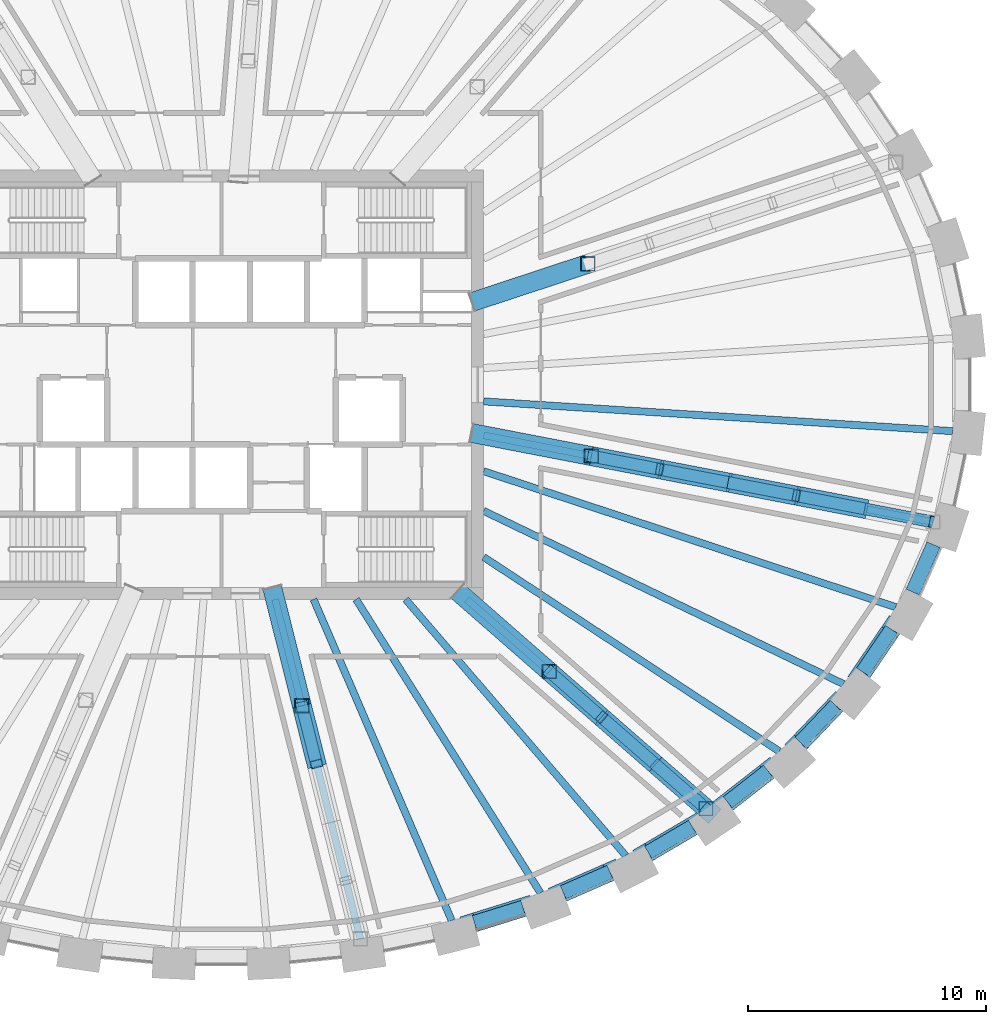
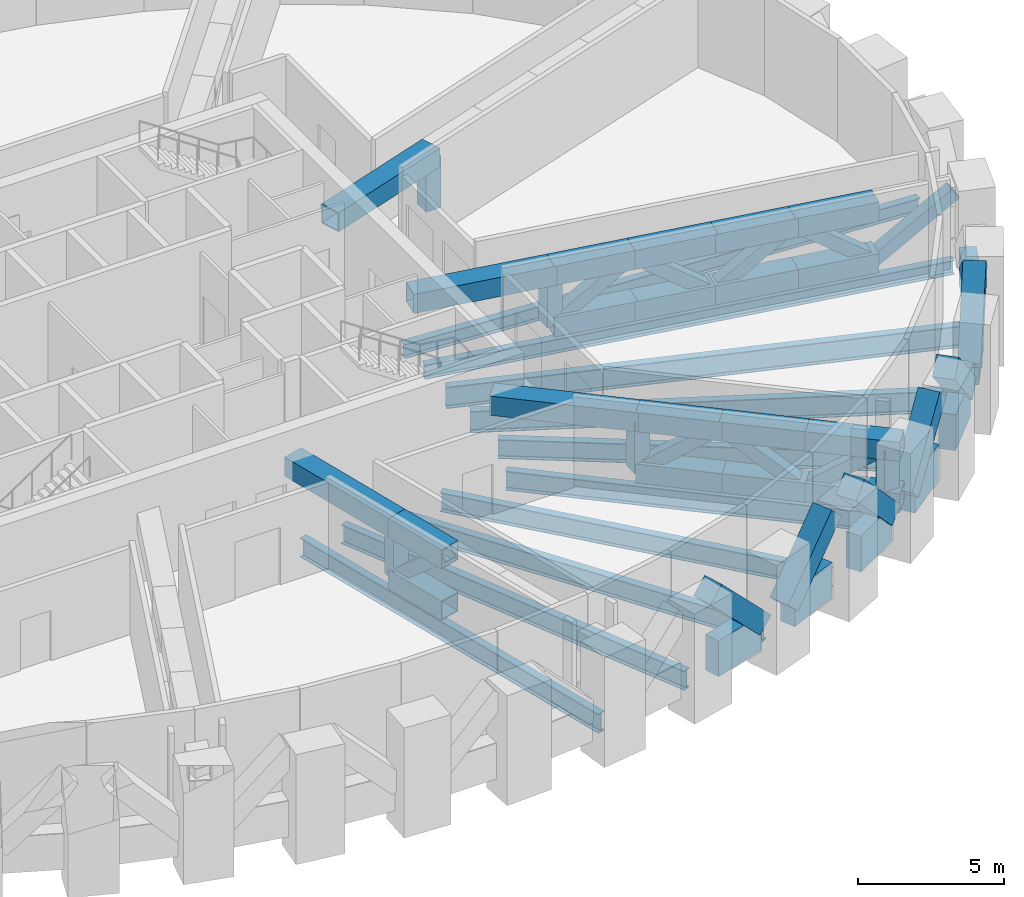
# One storey, part 3 of 12: 40 members, 17 beams.
"""IFC4 building model written with IfcOpenShell, lengths in metres."""

from ifc_helpers import new_model, si_unit, direction, frame, origin, origin_2d, place, context, subcontext, project, spatial, rectangle, hollow_rectangle, i_section, extrude, source, transform, mapped, material, material_profile, profile_set, type_object, element, save


model = new_model("IFC4")

# Units and contexts
model_context = context("Model", 3, precision=1e-05, world=origin(), true_north=direction((0.0, 1.0)))
body_context = subcontext(model_context, "Body", "Model", "MODEL_VIEW")
ifc_project = project(units=[si_unit("LENGTHUNIT", "METRE"), si_unit("AREAUNIT", "SQUARE_METRE"), si_unit("VOLUMEUNIT", "CUBIC_METRE"), si_unit("PLANEANGLEUNIT", "RADIAN"), si_unit("MASSUNIT", "GRAM", prefix="KILO")], contexts=[model_context])

# Site, building, storey
site_placement = place(None, origin())
site = spatial("IfcSite", under=ifc_project, at=site_placement, CompositionType="ELEMENT")
building_placement = place(site_placement, origin())
building = spatial("IfcBuilding", under=site, at=building_placement, Name="Embergate Tower", CompositionType="ELEMENT")
storey_placement = place(building_placement, frame((0.0, 0.0, 289.0)))
storey = spatial("IfcBuildingStorey", under=building, at=storey_placement, Name="L67", CompositionType="ELEMENT", Elevation=289.0)

# Beams
ifc_material_1 = material(Name="Concrete C50", Category="concrete")
ifc_material_profile_1 = material_profile(ifc_material_1, rectangle(XDim=0.60009765625, YDim=1.5, at=origin_2d()), Name="RC 600x1500")
ifc_profile_set_1 = profile_set([ifc_material_profile_1], Name="Concrete C50")
beam_type_1 = type_object("IfcBeamType", Name="Spandrel beam RC 600x1500 C50", PredefinedType="BEAM", material=ifc_profile_set_1)
shared_shape_1 = source(origin(), body_context, "Body", "SweptSolid", [
    extrude(rectangle(XDim=0.60009765625, YDim=1.5, at=origin_2d()), origin(), (0.0, 0.0, 1.0), 2.1669921875),
])
beam_1_placement = place(storey_placement, frame((28.992919921875, -8.693115234375, 0.0), z_axis=(0.401994669844, 0.915642007237, 0.0), x_axis=(-0.915642007237, 0.401994669844, 0.0)))
element("IfcBeam", 1, at=beam_1_placement, inside=storey, type_object=beam_type_1, Name="SPN-L67-41", PredefinedType="BEAM", context=body_context, shape_type="MappedRepresentation", body=[
    mapped(shared_shape_1, transform((0.0, 0.0, 0.0))),
])
shared_shape_2 = source(origin(), body_context, "Body", "SweptSolid", [
    extrude(rectangle(XDim=0.60009765625, YDim=1.5, at=origin_2d()), origin(), (0.0, 0.0, 1.0), 2.15771484375),
])
beam_2_placement = place(storey_placement, frame((26.89111328125, -12.04296875, 0.0), z_axis=(0.562560674067, 0.826756002696, 0.0), x_axis=(-0.826756002696, 0.562560674067, 0.0)))
element("IfcBeam", 2, at=beam_2_placement, inside=storey, type_object=beam_type_1, Name="SPN-L67-40", PredefinedType="BEAM", context=body_context, shape_type="MappedRepresentation", body=[
    mapped(shared_shape_2, transform((0.0, 0.0, 0.0))),
])
shared_shape_3 = source(origin(), body_context, "Body", "SweptSolid", [
    extrude(rectangle(XDim=0.60009765625, YDim=1.5, at=origin_2d()), origin(), (0.0, 0.0, 1.0), 2.153076171875),
])
beam_3_placement = place(storey_placement, frame((24.27392578125, -15.001953125, 0.0), z_axis=(0.690241072709, 0.723579478389, 0.0), x_axis=(-0.723579478389, 0.690241072709, 0.0)))
element("IfcBeam", 3, at=beam_3_placement, inside=storey, type_object=beam_type_1, Name="SPN-L67-39", PredefinedType="BEAM", context=body_context, shape_type="MappedRepresentation", body=[
    mapped(shared_shape_3, transform((0.0, 0.0, 0.0))),
])
shared_shape_4 = source(origin(), body_context, "Body", "SweptSolid", [
    extrude(rectangle(XDim=0.60009765625, YDim=1.5, at=origin_2d()), origin(), (0.0, 0.0, 1.0), 2.14501953125),
])
beam_4_placement = place(storey_placement, frame((21.235107421875, -17.514892578125, 0.0), z_axis=(0.788296932823, 0.615295007052, 0.0), x_axis=(-0.615295007052, 0.788296932823, 0.0)))
element("IfcBeam", 4, at=beam_4_placement, inside=storey, type_object=beam_type_1, Name="SPN-L67-38", PredefinedType="BEAM", context=body_context, shape_type="MappedRepresentation", body=[
    mapped(shared_shape_4, transform((0.0, 0.0, 0.0))),
])
shared_shape_5 = source(origin(), body_context, "Body", "SweptSolid", [
    extrude(rectangle(XDim=0.60009765625, YDim=1.5, at=origin_2d()), origin(), (0.0, 0.0, 1.0), 2.142822265625),
])
beam_5_placement = place(storey_placement, frame((17.89892578125, -19.613037109375, 0.0), z_axis=(0.862063064419, 0.506801019103, 0.0), x_axis=(-0.506801019103, 0.862063064419, 0.0)))
element("IfcBeam", 5, at=beam_5_placement, inside=storey, type_object=beam_type_1, Name="SPN-L67-37", PredefinedType="BEAM", context=body_context, shape_type="MappedRepresentation", body=[
    mapped(shared_shape_5, transform((0.0, 0.0, 0.0))),
])
shared_shape_6 = source(origin(), body_context, "Body", "SweptSolid", [
    extrude(rectangle(XDim=0.60009765625, YDim=1.5, at=origin_2d()), origin(), (0.0, 0.0, 1.0), 2.13916015625),
])
beam_6_placement = place(storey_placement, frame((14.3359375, -21.2880859375, 0.0), z_axis=(0.916209713136, 0.400699091034, 0.0), x_axis=(-0.400699091034, 0.916209713136, 0.0)))
element("IfcBeam", 6, at=beam_6_placement, inside=storey, type_object=beam_type_1, Name="SPN-L67-36", PredefinedType="BEAM", context=body_context, shape_type="MappedRepresentation", body=[
    mapped(shared_shape_6, transform((0.0, 0.0, 0.0))),
])
shared_shape_7 = source(origin(), body_context, "Body", "SweptSolid", [
    extrude(rectangle(XDim=0.60009765625, YDim=1.5, at=origin_2d()), origin(), (0.0, 0.0, 1.0), 2.137451171875),
])
beam_7_placement = place(storey_placement, frame((10.60888671875, -22.552978515625, 0.0), z_axis=(0.954853176449, 0.297078123438, 0.0), x_axis=(-0.297078123438, 0.954853176449, 0.0)))
element("IfcBeam", 7, at=beam_7_placement, inside=storey, type_object=beam_type_1, Name="SPN-L67-35", PredefinedType="BEAM", context=body_context, shape_type="MappedRepresentation", body=[
    mapped(shared_shape_7, transform((0.0, 0.0, 0.0))),
])
ifc_material_2 = material(Name="Steel Q355B", Category="steel")
ifc_material_profile_2 = material_profile(ifc_material_2, i_section(OverallWidth=0.300048828125, OverallDepth=0.587890625, WebThickness=0.011962890625, FlangeThickness=0.02001953125, FilletRadius=0.012939453125, at=origin_2d()), Name="HM 588x300x12x20")
ifc_profile_set_2 = profile_set([ifc_material_profile_2], Name="Steel Q355 grade B")
beam_type_2 = type_object("IfcBeamType", Name="Plant girder HM 588x300x12x20", PredefinedType="BEAM", material=ifc_profile_set_2)
shared_shape_8 = source(origin(), body_context, "Body", "SweptSolid", [
    extrude(i_section(OverallWidth=0.300048828125, OverallDepth=0.587890625, WebThickness=0.011962890625, FlangeThickness=0.02001953125, FilletRadius=0.012939453125, at=origin_2d()), origin(), (0.0, 0.0, 1.0), 19.70458984375),
])
beam_8_placement = place(storey_placement, frame((30.6650390625, -1.947998046875, -0.593994140625), z_axis=(-0.997989009721, 0.063387194887, 0.0), x_axis=(-0.063387194887, -0.997989009721, 0.0)))
element("IfcBeam", 8, at=beam_8_placement, inside=storey, type_object=beam_type_2, Name="GIR-L67-43", PredefinedType="BEAM", context=body_context, shape_type="MappedRepresentation", body=[
    mapped(shared_shape_8, transform((0.0, 0.0, 0.0))),
])
shared_shape_9 = source(origin(), body_context, "Body", "SweptSolid", [
    extrude(i_section(OverallWidth=0.300048828125, OverallDepth=0.587890625, WebThickness=0.011962890625, FlangeThickness=0.02001953125, FilletRadius=0.012939453125, at=origin_2d()), origin(), (0.0, 0.0, 1.0), 19.1923828125),
])
beam_9_placement = place(storey_placement, frame((29.844970703125, -5.757080078125, -0.593994140625), z_axis=(-0.981900225542, 0.189398909924, 0.0), x_axis=(-0.189398909924, -0.981900225542, 0.0)))
element("IfcBeam", 9, at=beam_9_placement, inside=storey, type_object=beam_type_2, Name="GIR-L67-42", PredefinedType="BEAM", context=body_context, shape_type="MappedRepresentation", body=[
    mapped(shared_shape_9, transform((0.0, 0.0, 0.0))),
])
ifc_material_profile_3 = material_profile(ifc_material_2, i_section(OverallWidth=0.300048828125, OverallDepth=0.89990234375, WebThickness=0.01611328125, FlangeThickness=0.028076171875, FilletRadius=0.028076171875, at=origin_2d()), Name="HN 900x300x16x28")
ifc_profile_set_3 = profile_set([ifc_material_profile_3], Name="Steel Q355 grade B")
beam_type_3 = type_object("IfcBeamType", Name="Plant girder HN 900x300x16x28", PredefinedType="BEAM", material=ifc_profile_set_3)
shared_shape_10 = source(origin(), body_context, "Body", "SweptSolid", [
    extrude(i_section(OverallWidth=0.300048828125, OverallDepth=0.89990234375, WebThickness=0.01611328125, FlangeThickness=0.028076171875, FilletRadius=0.028076171875, at=origin_2d()), origin(), (0.0, 0.0, 1.0), 18.194580078125),
])
beam_10_placement = place(storey_placement, frame((28.279052734375, -9.325927734375, -0.75), z_axis=(-0.949679549601, 0.313223168157, 0.0), x_axis=(-0.313223168157, -0.949679549601, 0.0)))
element("IfcBeam", 10, at=beam_10_placement, inside=storey, type_object=beam_type_3, Name="GIR-L67-41", PredefinedType="BEAM", context=body_context, shape_type="MappedRepresentation", body=[
    mapped(shared_shape_10, transform((0.0, 0.0, 0.0))),
])
shared_shape_11 = source(origin(), body_context, "Body", "SweptSolid", [
    extrude(i_section(OverallWidth=0.300048828125, OverallDepth=0.89990234375, WebThickness=0.01611328125, FlangeThickness=0.028076171875, FilletRadius=0.028076171875, at=origin_2d()), origin(), (0.0, 0.0, 1.0), 16.742919921875),
])
beam_11_placement = place(storey_placement, frame((26.087890625, -12.550048828125, -0.75), z_axis=(-0.901152969727, 0.433501240081, 0.0), x_axis=(-0.433501240081, -0.901152969727, 0.0)))
element("IfcBeam", 11, at=beam_11_placement, inside=storey, type_object=beam_type_3, Name="GIR-L67-40", PredefinedType="BEAM", context=body_context, shape_type="MappedRepresentation", body=[
    mapped(shared_shape_11, transform((0.0, 0.0, 0.0))),
])
ifc_material_profile_4 = material_profile(ifc_material_2, i_section(OverallWidth=0.300048828125, OverallDepth=0.800048828125, WebThickness=0.013916015625, FlangeThickness=0.02587890625, FilletRadius=0.028076171875, at=origin_2d()), Name="HN 800x300x14x26")
ifc_profile_set_4 = profile_set([ifc_material_profile_4], Name="Steel Q355 grade B")
beam_type_4 = type_object("IfcBeamType", Name="Plant girder HN 800x300x14x26", PredefinedType="BEAM", material=ifc_profile_set_4)
shared_shape_12 = source(origin(), body_context, "Body", "SweptSolid", [
    extrude(i_section(OverallWidth=0.300048828125, OverallDepth=0.800048828125, WebThickness=0.013916015625, FlangeThickness=0.02587890625, FilletRadius=0.028076171875, at=origin_2d()), origin(), (0.0, 0.0, 1.0), 14.83251953125),
])
beam_12_placement = place(storey_placement, frame((23.39599609375, -15.3720703125, -0.699951171875), z_axis=(-0.835733968997, 0.549134530935, 0.0), x_axis=(-0.549134530935, -0.835733968997, 0.0)))
element("IfcBeam", 12, at=beam_12_placement, inside=storey, type_object=beam_type_4, Name="GIR-L67-39", PredefinedType="BEAM", context=body_context, shape_type="MappedRepresentation", body=[
    mapped(shared_shape_12, transform((0.0, 0.0, 0.0))),
])
shared_shape_13 = source(origin(), body_context, "Body", "SweptSolid", [
    extrude(i_section(OverallWidth=0.300048828125, OverallDepth=0.800048828125, WebThickness=0.013916015625, FlangeThickness=0.02587890625, FilletRadius=0.028076171875, at=origin_2d()), origin(), (0.0, 0.0, 1.0), 13.325439453125),
])
beam_13_placement = place(storey_placement, frame((20.322021484375, -17.77197265625, -0.699951171875), z_axis=(-0.752768469268, 0.658285372522, 0.0), x_axis=(-0.658285372522, -0.752768469268, 0.0)))
element("IfcBeam", 13, at=beam_13_placement, inside=storey, type_object=beam_type_4, Name="GIR-L67-38", PredefinedType="BEAM", context=body_context, shape_type="MappedRepresentation", body=[
    mapped(shared_shape_13, transform((0.0, 0.0, 0.0))),
])
shared_shape_14 = source(origin(), body_context, "Body", "SweptSolid", [
    extrude(i_section(OverallWidth=0.300048828125, OverallDepth=0.800048828125, WebThickness=0.013916015625, FlangeThickness=0.02587890625, FilletRadius=0.028076171875, at=origin_2d()), origin(), (0.0, 0.0, 1.0), 14.16796875),
])
beam_14_placement = place(storey_placement, frame((16.958984375, -19.7490234375, -0.699951171875), z_axis=(-0.651463764724, 0.758679750126, 0.0), x_axis=(-0.758679750126, -0.651463764724, 0.0)))
element("IfcBeam", 14, at=beam_14_placement, inside=storey, type_object=beam_type_4, Name="GIR-L67-37", PredefinedType="BEAM", context=body_context, shape_type="MappedRepresentation", body=[
    mapped(shared_shape_14, transform((0.0, 0.0, 0.0))),
])
shared_shape_15 = source(origin(), body_context, "Body", "SweptSolid", [
    extrude(i_section(OverallWidth=0.300048828125, OverallDepth=0.800048828125, WebThickness=0.013916015625, FlangeThickness=0.02587890625, FilletRadius=0.028076171875, at=origin_2d()), origin(), (0.0, 0.0, 1.0), 14.5390625),
])
beam_15_placement = place(storey_placement, frame((13.385009765625, -21.31201171875, -0.699951171875), z_axis=(-0.531872320172, 0.846824559773, 0.0), x_axis=(-0.846824559773, -0.531872320172, 0.0)))
element("IfcBeam", 15, at=beam_15_placement, inside=storey, type_object=beam_type_4, Name="GIR-L67-36", PredefinedType="BEAM", context=body_context, shape_type="MappedRepresentation", body=[
    mapped(shared_shape_15, transform((0.0, 0.0, 0.0))),
])
shared_shape_16 = source(origin(), body_context, "Body", "SweptSolid", [
    extrude(i_section(OverallWidth=0.300048828125, OverallDepth=0.800048828125, WebThickness=0.013916015625, FlangeThickness=0.02587890625, FilletRadius=0.028076171875, at=origin_2d()), origin(), (0.0, 0.0, 1.0), 14.662841796875),
])
beam_16_placement = place(storey_placement, frame((9.659912109375, -22.470947265625, -0.699951171875), z_axis=(-0.394941891476, 0.918706102275, 0.0), x_axis=(-0.918706102275, -0.394941891476, 0.0)))
element("IfcBeam", 16, at=beam_16_placement, inside=storey, type_object=beam_type_4, Name="GIR-L67-35", PredefinedType="BEAM", context=body_context, shape_type="MappedRepresentation", body=[
    mapped(shared_shape_16, transform((0.0, 0.0, 0.0))),
])
shared_shape_17 = source(origin(), body_context, "Body", "SweptSolid", [
    extrude(i_section(OverallWidth=0.300048828125, OverallDepth=0.800048828125, WebThickness=0.013916015625, FlangeThickness=0.02587890625, FilletRadius=0.028076171875, at=origin_2d()), origin(), (0.0, 0.0, 1.0), 14.6806640625),
])
beam_17_placement = place(storey_placement, frame((5.8330078125, -23.239013671875, -0.699951171875), z_axis=(-0.243447235722, 0.969914142293, 0.0), x_axis=(-0.969914142293, -0.243447235722, 0.0)))
element("IfcBeam", 17, at=beam_17_placement, inside=storey, type_object=beam_type_4, Name="GIR-L67-34", PredefinedType="BEAM", context=body_context, shape_type="MappedRepresentation", body=[
    mapped(shared_shape_17, transform((0.0, 0.0, 0.0))),
])

# Members
ifc_material_profile_5 = material_profile(ifc_material_2, hollow_rectangle(XDim=0.800048828125, YDim=0.800048828125, WallThickness=0.0400390625, at=origin_2d()), Name="BOX 800x800x40")
ifc_profile_set_5 = profile_set([ifc_material_profile_5], Name="Steel Q355 grade B")
member_type_1 = type_object("IfcMemberType", Name="Outrigger chord BOX 800x800x40", PredefinedType="CHORD", material=ifc_profile_set_5)
shared_shape_18 = source(origin(), body_context, "Body", "SweptSolid", [
    extrude(hollow_rectangle(XDim=0.800048828125, YDim=0.800048828125, WallThickness=0.0400390625, at=origin_2d()), origin(), (0.0, 0.0, 1.0), 5.200927734375),
])
for number, where, z_axis, x_axis, name in (
    (18, (10.52490234375, 3.470947265625, 2.550048828125), (0.949673760514, 0.313240719881, 0.0), (-0.313240719881, 0.949673760514, 0.0), "OUT-L67-02-TC00"),
    (19, (2.136962890625, -8.514892578125, 2.550048828125), (0.243628943282, -0.969868515828, 0.0), (0.969868515828, 0.243628943282, 0.0), "OUT-L67-34-TC00"),
):
    element("IfcMember", number, at=place(storey_placement, frame(where, z_axis=z_axis, x_axis=x_axis)), inside=storey, type_object=member_type_1, Name=name, PredefinedType="CHORD", context=body_context, shape_type="MappedRepresentation", body=[
        mapped(shared_shape_18, transform((0.0, 0.0, 0.0))),
    ])
ifc_material_profile_6 = material_profile(ifc_material_2, hollow_rectangle(XDim=0.60009765625, YDim=0.60009765625, WallThickness=0.028076171875, at=origin_2d()), Name="BOX 600x600x28")
ifc_profile_set_6 = profile_set([ifc_material_profile_6], Name="Steel Q355 grade B")
member_type_2 = type_object("IfcMemberType", Name="Outrigger post BOX 600x600x28", PredefinedType="POST", material=ifc_profile_set_6)
shared_shape_19 = source(origin(), body_context, "Body", "SweptSolid", [
    extrude(hollow_rectangle(XDim=0.60009765625, YDim=0.60009765625, WallThickness=0.028076171875, at=origin_2d()), origin(), (0.0, 0.0, 1.0), 2.150146484375),
])
for number, where, z_axis, x_axis, name in (
    (20, (15.368896484375, 5.069091796875, 0.39990234375), (0.0, 0.0, 1.0), (1.0, 0.0, 0.0), "OUT-L67-02-PO00"),
    (21, (3.37890625, -13.4619140625, 0.39990234375), (0.0, 0.0, 1.0), (1.0, 0.0, 0.0), "OUT-L67-34-PO00"),
    (22, (13.7548828125, -12.028076171875, 0.39990234375), (0.0, 0.0, 1.0), (1.0, 0.0, 0.0), "OUT-L67-38-PO00"),
    (23, (20.322021484375, -17.77099609375, 0.39990234375), (0.0, 0.0, 1.0), (1.0, 0.0, 0.0), "OUT-L67-38-PO03"),
    (24, (15.51708984375, -2.992919921875, 0.39990234375), (0.0, 0.0, 1.0), (1.0, 0.0, 0.0), "OUT-L67-42-PO00"),
):
    element("IfcMember", number, at=place(storey_placement, frame(where, z_axis=z_axis, x_axis=x_axis)), inside=storey, type_object=member_type_2, Name=name, PredefinedType="POST", context=body_context, shape_type="MappedRepresentation", body=[
        mapped(shared_shape_19, transform((0.0, 0.0, 0.0))),
    ])
shared_shape_20 = source(origin(), body_context, "Body", "SweptSolid", [
    extrude(hollow_rectangle(XDim=0.800048828125, YDim=0.800048828125, WallThickness=0.0400390625, at=origin_2d()), origin(), (0.0, 0.0, 1.0), 5.199951171875),
])
member_1_placement = place(storey_placement, frame((10.509033203125, -2.027099609375, 2.550048828125), z_axis=(0.981901144024, -0.189394148178, 0.0), x_axis=(0.189394148178, 0.981901144024, 0.0)))
element("IfcMember", 25, at=member_1_placement, inside=storey, type_object=member_type_1, Name="OUT-L67-42-TC00", PredefinedType="CHORD", context=body_context, shape_type="MappedRepresentation", body=[
    mapped(shared_shape_20, transform((0.0, 0.0, 0.0))),
])
shared_shape_21 = source(origin(), body_context, "Body", "SweptSolid", [
    extrude(hollow_rectangle(XDim=0.800048828125, YDim=0.800048828125, WallThickness=0.0400390625, at=origin_2d()), origin(), (0.0, 0.0, 1.0), 5.19970703125),
])
member_2_placement = place(storey_placement, frame((9.916015625, -8.6708984375, 2.550048828125), z_axis=(0.752739550521, -0.658318440485, 0.0), x_axis=(0.658318440485, 0.752739550521, 0.0)))
element("IfcMember", 26, at=member_2_placement, inside=storey, type_object=member_type_1, Name="OUT-L67-38-TC00", PredefinedType="CHORD", context=body_context, shape_type="MappedRepresentation", body=[
    mapped(shared_shape_21, transform((0.0, 0.0, 0.0))),
])
shared_shape_22 = source(origin(), body_context, "Body", "SweptSolid", [
    extrude(hollow_rectangle(XDim=0.800048828125, YDim=0.800048828125, WallThickness=0.0400390625, at=origin_2d()), origin(), (0.0, 0.0, 1.0), 2.619873046875),
])
for number, where, z_axis, x_axis, name in (
    (27, (3.37890625, -13.4619140625, 2.550048828125), (0.243587934802, -0.969878816151, 0.0), (0.969878816151, 0.243587934802, 0.0), "OUT-L67-34-TC01"),
    (28, (3.37890625, -13.4619140625, 0.39990234375), (0.243587934802, -0.969878816151, 0.0), (0.969878816151, 0.243587934802, 0.0), "OUT-L67-34-BC00"),
):
    element("IfcMember", number, at=place(storey_placement, frame(where, z_axis=z_axis, x_axis=x_axis)), inside=storey, type_object=member_type_1, Name=name, PredefinedType="CHORD", context=body_context, shape_type="MappedRepresentation", body=[
        mapped(shared_shape_22, transform((0.0, 0.0, 0.0))),
    ])
ifc_material_profile_7 = material_profile(ifc_material_2, hollow_rectangle(XDim=0.5, YDim=0.5, WallThickness=0.02490234375, at=origin_2d()), Name="BOX 500x500x25")
ifc_profile_set_7 = profile_set([ifc_material_profile_7], Name="Steel Q355 grade B")
member_type_3 = type_object("IfcMemberType", Name="Outrigger diagonal BOX 500x500x25", PredefinedType="BRACE", material=ifc_profile_set_7)
shared_shape_23 = source(origin(), body_context, "Body", "SweptSolid", [
    extrude(hollow_rectangle(XDim=0.5, YDim=0.5, WallThickness=0.02490234375, at=origin_2d()), origin(), (0.0, 0.0, 1.0), 3.312744140625),
])
member_3_placement = place(storey_placement, frame((3.37890625, -13.4619140625, 0.39990234375), z_axis=(0.185353571001, -0.737803021585, 0.649069145051), x_axis=(0.96986261567, 0.243652430168, 0.0)))
element("IfcMember", 29, at=member_3_placement, inside=storey, type_object=member_type_3, Name="OUT-L67-34-DG00", PredefinedType="BRACE", context=body_context, shape_type="MappedRepresentation", body=[
    mapped(shared_shape_23, transform((0.0, 0.0, 0.0))),
])
shared_shape_24 = source(origin(), body_context, "Body", "SweptSolid", [
    extrude(hollow_rectangle(XDim=0.800048828125, YDim=0.800048828125, WallThickness=0.0400390625, at=origin_2d()), origin(), (0.0, 0.0, 1.0), 3.0078125),
])
for number, where, z_axis, x_axis, name in (
    (30, (13.7548828125, -12.028076171875, 2.550048828125), (0.752767735047, -0.658286212123, 0.0), (0.658286212123, 0.752767735047, 0.0), "OUT-L67-38-TC01"),
    (31, (13.7548828125, -12.028076171875, 0.39990234375), (0.752767735047, -0.658286212123, 0.0), (0.658286212123, 0.752767735047, 0.0), "OUT-L67-38-BC00"),
):
    element("IfcMember", number, at=place(storey_placement, frame(where, z_axis=z_axis, x_axis=x_axis)), inside=storey, type_object=member_type_1, Name=name, PredefinedType="CHORD", context=body_context, shape_type="MappedRepresentation", body=[
        mapped(shared_shape_24, transform((0.0, 0.0, 0.0))),
    ])
shared_shape_25 = source(origin(), body_context, "Body", "SweptSolid", [
    extrude(hollow_rectangle(XDim=0.800048828125, YDim=0.800048828125, WallThickness=0.0400390625, at=origin_2d()), origin(), (0.0, 0.0, 1.0), 3.00830078125),
])
for number, where, z_axis, x_axis, name in (
    (32, (15.944091796875, -13.94189453125, 2.550048828125), (0.752531448357, -0.658556314398, 0.0), (0.658556314398, 0.752531448357, 0.0), "OUT-L67-38-TC02"),
    (33, (15.944091796875, -13.94189453125, 0.39990234375), (0.752531448357, -0.658556314398, 0.0), (0.658556314398, 0.752531448357, 0.0), "OUT-L67-38-BC01"),
):
    element("IfcMember", number, at=place(storey_placement, frame(where, z_axis=z_axis, x_axis=x_axis)), inside=storey, type_object=member_type_1, Name=name, PredefinedType="CHORD", context=body_context, shape_type="MappedRepresentation", body=[
        mapped(shared_shape_25, transform((0.0, 0.0, 0.0))),
    ])
shared_shape_26 = source(origin(), body_context, "Body", "SweptSolid", [
    extrude(hollow_rectangle(XDim=0.800048828125, YDim=0.800048828125, WallThickness=0.0400390625, at=origin_2d()), origin(), (0.0, 0.0, 1.0), 3.407470703125),
])
for number, where, z_axis, x_axis, name in (
    (34, (18.133056640625, -15.85693359375, 2.550048828125), (0.75274533071, -0.658311831198, 0.0), (0.658311831198, 0.75274533071, 0.0), "OUT-L67-38-TC03"),
    (35, (18.133056640625, -15.85693359375, 0.39990234375), (0.75274533071, -0.658311831198, 0.0), (0.658311831198, 0.75274533071, 0.0), "OUT-L67-38-BC02"),
):
    element("IfcMember", number, at=place(storey_placement, frame(where, z_axis=z_axis, x_axis=x_axis)), inside=storey, type_object=member_type_1, Name=name, PredefinedType="CHORD", context=body_context, shape_type="MappedRepresentation", body=[
        mapped(shared_shape_26, transform((0.0, 0.0, 0.0))),
    ])
shared_shape_27 = source(origin(), body_context, "Body", "SweptSolid", [
    extrude(hollow_rectangle(XDim=0.5, YDim=0.5, WallThickness=0.02490234375, at=origin_2d()), origin(), (0.0, 0.0, 1.0), 3.616455078125),
])
for number, where, z_axis, x_axis, name in (
    (36, (13.7548828125, -12.028076171875, 0.39990234375), (0.605353152012, -0.529203006426, 0.594551712922), (0.658165727406, 0.752873080451, 0.0), "OUT-L67-38-DG00"),
    (37, (18.133056640625, -15.85693359375, 0.39990234375), (0.605288751948, -0.529273233914, 0.594554766719), (0.658254917432, 0.752795100726, 0.0), "OUT-L67-38-DG02"),
):
    element("IfcMember", number, at=place(storey_placement, frame(where, z_axis=z_axis, x_axis=x_axis)), inside=storey, type_object=member_type_3, Name=name, PredefinedType="BRACE", context=body_context, shape_type="MappedRepresentation", body=[
        mapped(shared_shape_27, transform((0.0, 0.0, 0.0))),
    ])
shared_shape_28 = source(origin(), body_context, "Body", "SweptSolid", [
    extrude(hollow_rectangle(XDim=0.5, YDim=0.5, WallThickness=0.02490234375, at=origin_2d()), origin(), (0.0, 0.0, 1.0), 3.616943359375),
])
member_4_placement = place(storey_placement, frame((15.944091796875, -13.94189453125, 2.550048828125), z_axis=(0.605202238414, -0.529467583997, -0.594469787387), x_axis=(0.658445177478, 0.752628692156, 0.0)))
element("IfcMember", 38, at=member_4_placement, inside=storey, type_object=member_type_3, Name="OUT-L67-38-DG01", PredefinedType="BRACE", context=body_context, shape_type="MappedRepresentation", body=[
    mapped(shared_shape_28, transform((0.0, 0.0, 0.0))),
])
shared_shape_29 = source(origin(), body_context, "Body", "SweptSolid", [
    extrude(hollow_rectangle(XDim=0.800048828125, YDim=0.800048828125, WallThickness=0.0400390625, at=origin_2d()), origin(), (0.0, 0.0, 1.0), 3.0185546875),
])
for number, where, z_axis, x_axis, name in (
    (39, (15.51708984375, -2.992919921875, 2.550048828125), (0.981880467526, -0.189501312637, 0.0), (0.189501312637, 0.981880467526, 0.0), "OUT-L67-42-TC01"),
    (40, (18.382080078125, -3.5458984375, 2.550048828125), (0.981880467526, -0.189501312637, 0.0), (0.189501312637, 0.981880467526, 0.0), "OUT-L67-42-TC02"),
    (41, (24.114013671875, -4.65087890625, 2.550048828125), (0.981880467526, -0.189501312637, 0.0), (0.189501312637, 0.981880467526, 0.0), "OUT-L67-42-TC04"),
    (42, (15.51708984375, -2.992919921875, 0.39990234375), (0.981880467526, -0.189501312637, 0.0), (0.189501312637, 0.981880467526, 0.0), "OUT-L67-42-BC00"),
    (43, (18.382080078125, -3.5458984375, 0.39990234375), (0.981880467526, -0.189501312637, 0.0), (0.189501312637, 0.981880467526, 0.0), "OUT-L67-42-BC01"),
    (44, (24.114013671875, -4.65087890625, 0.39990234375), (0.981880467526, -0.189501312637, 0.0), (0.189501312637, 0.981880467526, 0.0), "OUT-L67-42-BC03"),
):
    element("IfcMember", number, at=place(storey_placement, frame(where, z_axis=z_axis, x_axis=x_axis)), inside=storey, type_object=member_type_1, Name=name, PredefinedType="CHORD", context=body_context, shape_type="MappedRepresentation", body=[
        mapped(shared_shape_29, transform((0.0, 0.0, 0.0))),
    ])
shared_shape_30 = source(origin(), body_context, "Body", "SweptSolid", [
    extrude(hollow_rectangle(XDim=0.800048828125, YDim=0.800048828125, WallThickness=0.0400390625, at=origin_2d()), origin(), (0.0, 0.0, 1.0), 3.018310546875),
])
for number, where, z_axis, x_axis, name in (
    (45, (21.248046875, -4.09912109375, 2.550048828125), (0.981955641414, -0.189111391238, 0.0), (0.189111391238, 0.981955641414, 0.0), "OUT-L67-42-TC03"),
    (46, (21.248046875, -4.09912109375, 0.39990234375), (0.981955641414, -0.189111391238, 0.0), (0.189111391238, 0.981955641414, 0.0), "OUT-L67-42-BC02"),
):
    element("IfcMember", number, at=place(storey_placement, frame(where, z_axis=z_axis, x_axis=x_axis)), inside=storey, type_object=member_type_1, Name=name, PredefinedType="CHORD", context=body_context, shape_type="MappedRepresentation", body=[
        mapped(shared_shape_30, transform((0.0, 0.0, 0.0))),
    ])
shared_shape_31 = source(origin(), body_context, "Body", "SweptSolid", [
    extrude(hollow_rectangle(XDim=0.5, YDim=0.5, WallThickness=0.02490234375, at=origin_2d()), origin(), (0.0, 0.0, 1.0), 3.62451171875),
])
for number, where, z_axis, x_axis, name in (
    (47, (15.51708984375, -2.992919921875, 0.39990234375), (0.790448636169, -0.152566353722, 0.593223786855), (0.189514568722, 0.98187790903, 0.0), "OUT-L67-42-DG00"),
    (48, (24.114013671875, -4.65087890625, 2.550048828125), (0.790440511379, -0.152632143058, -0.593217689281), (0.18959523259, 0.98186233647, 0.0), "OUT-L67-42-DG03"),
):
    element("IfcMember", number, at=place(storey_placement, frame(where, z_axis=z_axis, x_axis=x_axis)), inside=storey, type_object=member_type_3, Name=name, PredefinedType="BRACE", context=body_context, shape_type="MappedRepresentation", body=[
        mapped(shared_shape_31, transform((0.0, 0.0, 0.0))),
    ])
shared_shape_32 = source(origin(), body_context, "Body", "SweptSolid", [
    extrude(hollow_rectangle(XDim=0.5, YDim=0.5, WallThickness=0.02490234375, at=origin_2d()), origin(), (0.0, 0.0, 1.0), 3.625244140625),
])
for number, where, z_axis, x_axis, name in (
    (49, (18.382080078125, -3.5458984375, 2.550048828125), (0.790541570284, -0.15259964207, -0.593091371454), (0.189532950169, 0.981874361006, 0.0), "OUT-L67-42-DG01"),
    (50, (26.97900390625, -5.2041015625, 0.39990234375), (0.790549692653, -0.152533866075, 0.593097465133), (0.189452310826, 0.981889923526, 0.0), "OUT-L67-42-DG04"),
):
    element("IfcMember", number, at=place(storey_placement, frame(where, z_axis=z_axis, x_axis=x_axis)), inside=storey, type_object=member_type_3, Name=name, PredefinedType="BRACE", context=body_context, shape_type="MappedRepresentation", body=[
        mapped(shared_shape_32, transform((0.0, 0.0, 0.0))),
    ])
shared_shape_33 = source(origin(), body_context, "Body", "SweptSolid", [
    extrude(hollow_rectangle(XDim=0.5, YDim=0.5, WallThickness=0.02490234375, at=origin_2d()), origin(), (0.0, 0.0, 1.0), 3.625),
])
member_5_placement = place(storey_placement, frame((21.248046875, -4.09912109375, 0.39990234375), z_axis=(0.790590254463, -0.152204955711, 0.593127895993), x_axis=(0.189049056633, 0.981967644165, 0.0)))
element("IfcMember", 51, at=member_5_placement, inside=storey, type_object=member_type_3, Name="OUT-L67-42-DG02", PredefinedType="BRACE", context=body_context, shape_type="MappedRepresentation", body=[
    mapped(shared_shape_33, transform((0.0, 0.0, 0.0))),
])
ifc_material_3 = material(Name="Concrete C70", Category="concrete")
ifc_material_profile_8 = material_profile(ifc_material_3, rectangle(XDim=0.800048828125, YDim=0.800048828125, at=origin_2d()), Name="RC 800x800")
ifc_profile_set_8 = profile_set([ifc_material_profile_8], Name="Concrete C70")
member_type_4 = type_object("IfcMemberType", Name="Belt ring diagonal RC 800x800", PredefinedType="BRACE", material=ifc_profile_set_8)
shared_shape_34 = source(origin(), body_context, "Body", "SweptSolid", [
    extrude(rectangle(XDim=0.800048828125, YDim=0.800048828125, at=origin_2d()), origin(), (0.0, 0.0, 1.0), 3.597900390625),
])
member_6_placement = place(storey_placement, frame((26.764892578125, -12.22900390625, 0.205078125), z_axis=(0.394460450142, 0.579781538966, 0.712919574951), x_axis=(-0.826787888734, 0.562513810535, 0.0)))
element("IfcMember", 52, at=member_6_placement, inside=storey, type_object=member_type_4, Name="BLT-L67-40", PredefinedType="BRACE", context=body_context, shape_type="MappedRepresentation", body=[
    mapped(shared_shape_34, transform((0.0, 0.0, 0.0))),
])
shared_shape_35 = source(origin(), body_context, "Body", "SweptSolid", [
    extrude(rectangle(XDim=0.800048828125, YDim=0.800048828125, at=origin_2d()), origin(), (0.0, 0.0, 1.0), 3.59375),
])
member_7_placement = place(storey_placement, frame((25.85693359375, -13.343017578125, 0.2900390625), z_axis=(-0.483611560702, -0.506708615153, 0.713698982544), x_axis=(0.723401780179, -0.690427305684, 0.0)))
element("IfcMember", 53, at=member_7_placement, inside=storey, type_object=member_type_4, Name="BLT-L67-39", PredefinedType="BRACE", context=body_context, shape_type="MappedRepresentation", body=[
    mapped(shared_shape_35, transform((0.0, 0.0, 0.0))),
])
shared_shape_36 = source(origin(), body_context, "Body", "SweptSolid", [
    extrude(rectangle(XDim=0.800048828125, YDim=0.800048828125, at=origin_2d()), origin(), (0.0, 0.0, 1.0), 3.608642578125),
])
member_8_placement = place(storey_placement, frame((21.048095703125, -17.660888671875, 0.18896484375), z_axis=(0.550851328961, 0.4300862071, 0.715254267966), x_axis=(-0.615407307632, 0.788209265178, 0.0)))
element("IfcMember", 54, at=member_8_placement, inside=storey, type_object=member_type_4, Name="BLT-L67-38", PredefinedType="BRACE", context=body_context, shape_type="MappedRepresentation", body=[
    mapped(shared_shape_36, transform((0.0, 0.0, 0.0))),
])
shared_shape_37 = source(origin(), body_context, "Body", "SweptSolid", [
    extrude(rectangle(XDim=0.800048828125, YDim=0.800048828125, at=origin_2d()), origin(), (0.0, 0.0, 1.0), 3.587158203125),
])
member_9_placement = place(storey_placement, frame((19.865966796875, -18.4560546875, 0.2890625), z_axis=(-0.602137183008, -0.354054213407, 0.715595155663), x_axis=(0.50686682448, -0.862024374505, 0.0)))
element("IfcMember", 55, at=member_9_placement, inside=storey, type_object=member_type_4, Name="BLT-L67-37", PredefinedType="BRACE", context=body_context, shape_type="MappedRepresentation", body=[
    mapped(shared_shape_37, transform((0.0, 0.0, 0.0))),
])
shared_shape_38 = source(origin(), body_context, "Body", "SweptSolid", [
    extrude(rectangle(XDim=0.800048828125, YDim=0.800048828125, at=origin_2d()), origin(), (0.0, 0.0, 1.0), 3.58349609375),
])
member_10_placement = place(storey_placement, frame((12.782958984375, -21.876953125, 0.2890625), z_axis=(-0.666083635361, -0.207039804425, 0.716566193794), x_axis=(0.296823134275, -0.95493247246, 0.0)))
element("IfcMember", 56, at=member_10_placement, inside=storey, type_object=member_type_4, Name="BLT-L67-35", PredefinedType="BRACE", context=body_context, shape_type="MappedRepresentation", body=[
    mapped(shared_shape_38, transform((0.0, 0.0, 0.0))),
])
shared_shape_39 = source(origin(), body_context, "Body", "SweptSolid", [
    extrude(rectangle(XDim=0.800048828125, YDim=0.800048828125, at=origin_2d()), origin(), (0.0, 0.0, 1.0), 3.585693359375),
])
member_11_placement = place(storey_placement, frame((14.131103515625, -21.376953125, 0.202880859375), z_axis=(0.639486172157, 0.279434758362, 0.71622178928), x_axis=(-0.400409338238, 0.916336380295, 0.0)))
element("IfcMember", 57, at=member_11_placement, inside=storey, type_object=member_type_4, Name="BLT-L67-36", PredefinedType="BRACE", context=body_context, shape_type="MappedRepresentation", body=[
    mapped(shared_shape_39, transform((0.0, 0.0, 0.0))),
])

save(model, "model.ifc")
